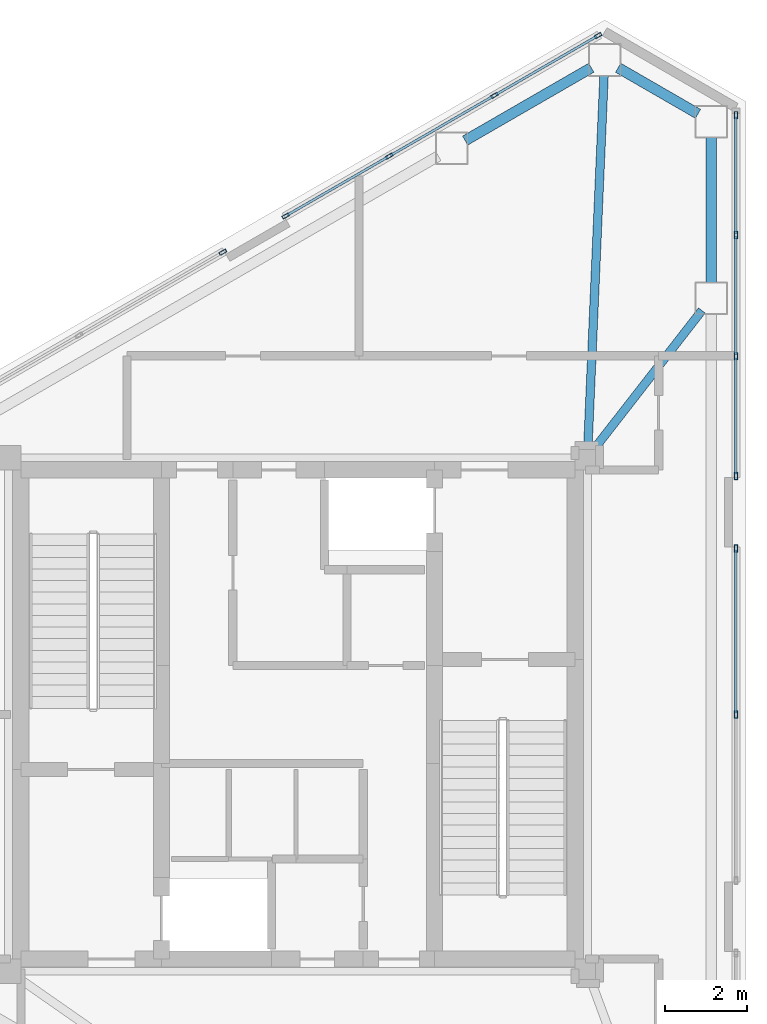
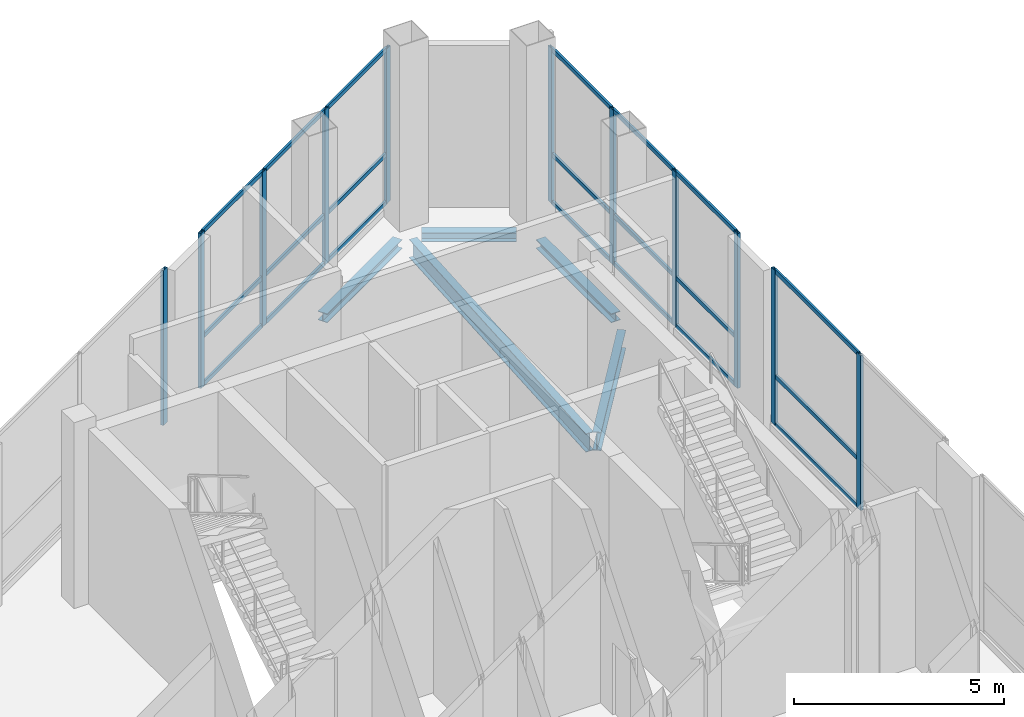
# One storey, part 8 of 13: 32 members, 5 beams, 4 elements without a shape of their own.
"""IFC4 building model written with IfcOpenShell, lengths in metres."""

from ifc_helpers import new_model, si_unit, direction, frame, origin, origin_2d, place, context, subcontext, project, spatial, hollow_rectangle, i_section, extrude, material, layer, layer_set, material_profile, profile_set, type_object, element, aggregate, save


model = new_model("IFC4")

# Units and contexts
model_context = context("Model", 3, precision=1e-05, world=origin(), true_north=direction((0.0, 1.0)))
body_context = subcontext(model_context, "Body", "Model", "MODEL_VIEW")
ifc_project = project(units=[si_unit("LENGTHUNIT", "METRE"), si_unit("AREAUNIT", "SQUARE_METRE"), si_unit("VOLUMEUNIT", "CUBIC_METRE"), si_unit("PLANEANGLEUNIT", "RADIAN"), si_unit("MASSUNIT", "GRAM", prefix="KILO")], contexts=[model_context])

# Site, building, storey
site_placement = place(None, origin())
site = spatial("IfcSite", under=ifc_project, at=site_placement, CompositionType="ELEMENT")
building_placement = place(site_placement, origin())
building = spatial("IfcBuilding", under=site, at=building_placement, Name="Mersakhor Tower and Convention Hall", CompositionType="ELEMENT")
storey_placement = place(building_placement, frame((0.0, 0.0, 258.60009765625)))
storey = spatial("IfcBuildingStorey", under=building, at=storey_placement, Name="L72", CompositionType="ELEMENT", Elevation=258.60009765625)

# Beams
ifc_material_1 = material(Name="Steel S355", Category="steel")
ifc_material_profile_1 = material_profile(ifc_material_1, i_section(OverallWidth=0.2099609375, OverallDepth=0.53662109375, WebThickness=0.0107421875, FlangeThickness=0.017333984375, at=origin_2d()), Name="UB 533x210x101")
ifc_profile_set_1 = profile_set([ifc_material_profile_1], Name="Steel S355")
beam_type_1 = type_object("IfcBeamType", Name="BM-FB-533", PredefinedType="BEAM", material=ifc_profile_set_1)
beam_1_placement = place(storey_placement, frame((36.1123046875, 33.32958984375, -0.58837890625), z_axis=(0.043540774519, 0.999051650794, 0.0), x_axis=(-0.999051650794, 0.043540774519, 0.0)))
element("IfcBeam", 1, at=beam_1_placement, inside=storey, type_object=beam_type_1, Name="L72 Primary Floor Girder FG-2", PredefinedType="BEAM", context=body_context, shape_type="SweptSolid", body=[
    extrude(i_section(OverallWidth=0.2099609375, OverallDepth=0.53662109375, WebThickness=0.0107421875, FlangeThickness=0.017333984375, at=origin_2d()), origin(), (0.0, 0.0, 1.0), 9.10595703125),
])
beam_2_placement = place(storey_placement, frame((36.27197265625, 33.27099609375, -0.58837890625), z_axis=(0.614066533088, 0.789254263809, 0.0), x_axis=(-0.789254263809, 0.614066533088, 0.0)))
element("IfcBeam", 2, at=beam_2_placement, inside=storey, type_object=beam_type_1, Name="L72 Primary Floor Girder FG-3", PredefinedType="BEAM", context=body_context, shape_type="SweptSolid", body=[
    extrude(i_section(OverallWidth=0.2099609375, OverallDepth=0.53662109375, WebThickness=0.0107421875, FlangeThickness=0.017333984375, at=origin_2d()), origin(), (0.0, 0.0, 1.0), 4.295166015625),
])
ifc_material_2 = material(Name="Steel S355", Category="steel")
ifc_material_profile_2 = material_profile(ifc_material_2, i_section(OverallWidth=0.25634765625, OverallDepth=0.26025390625, WebThickness=0.01025390625, FlangeThickness=0.017333984375, at=origin_2d()), Name="UC 254x254x89")
ifc_profile_set_2 = profile_set([ifc_material_profile_2], Name="Steel S355")
beam_type_2 = type_object("IfcBeamType", Name="BM-SPD-UC254", PredefinedType="SPANDREL", material=ifc_profile_set_2)
beam_3_placement = place(storey_placement, frame((33.1005859375, 40.829345703125, -0.4501953125), z_axis=(0.866002454009, 0.500039748071, 0.0), x_axis=(-0.500039748071, 0.866002454009, 0.0)))
element("IfcBeam", 3, at=beam_3_placement, inside=storey, type_object=beam_type_2, Name="L72 Perimeter Spandrel Beam SPB-03", PredefinedType="SPANDREL", context=body_context, shape_type="SweptSolid", body=[
    extrude(i_section(OverallWidth=0.25634765625, OverallDepth=0.26025390625, WebThickness=0.01025390625, FlangeThickness=0.017333984375, at=origin_2d()), origin(), (0.0, 0.0, 1.0), 3.574462890625),
])
beam_4_placement = place(storey_placement, frame((36.854248046875, 42.61669921875, -0.4501953125), z_axis=(0.866016678684, -0.500015112013, 0.0), x_axis=(0.500015112013, 0.866016678684, 0.0)))
element("IfcBeam", 4, at=beam_4_placement, inside=storey, type_object=beam_type_2, Name="L72 Perimeter Spandrel Beam SPB-04", PredefinedType="SPANDREL", context=body_context, shape_type="SweptSolid", body=[
    extrude(i_section(OverallWidth=0.25634765625, OverallDepth=0.26025390625, WebThickness=0.01025390625, FlangeThickness=0.017333984375, at=origin_2d()), origin(), (0.0, 0.0, 1.0), 2.2626953125),
])
beam_5_placement = place(storey_placement, frame((39.142822265625, 40.915283203125, -0.4501953125), z_axis=(0.0, -1.0, 0.0), x_axis=(1.0, 0.0, 0.0)))
element("IfcBeam", 5, at=beam_5_placement, inside=storey, type_object=beam_type_2, Name="L72 Perimeter Spandrel Beam SPB-05", PredefinedType="SPANDREL", context=body_context, shape_type="SweptSolid", body=[
    extrude(i_section(OverallWidth=0.25634765625, OverallDepth=0.26025390625, WebThickness=0.01025390625, FlangeThickness=0.017333984375, at=origin_2d()), origin(), (0.0, 0.0, 1.0), 3.574462890625),
])

# Curtain wall, member
ifc_material_3 = material(Name="Dark solar low-E aluminium curtain wall", Category="aluminium")
ifc_layer = layer(ifc_material_3, 0.2099609375)
ifc_layer_set = layer_set([ifc_layer], Name="Dark solar low-E aluminium curtain wall")
curtain_wall_type = type_object("IfcCurtainWallType", Name="CW-SYS-06", PredefinedType="USERDEFINED", material=ifc_layer_set)
curtain_wall_1_placement = place(storey_placement, origin())
curtain_wall_1 = element("IfcCurtainWall", 6, at=curtain_wall_1_placement, inside=storey, type_object=curtain_wall_type, Name="L72 Dark-Glass Curtain Wall F1-B2", ObjectType="CURTAIN WALL", PredefinedType="USERDEFINED")
ifc_material_4 = material(Name="Anodised aluminium EN AW-6063 T6", Category="aluminium")
ifc_material_profile_3 = material_profile(ifc_material_4, hollow_rectangle(XDim=0.080078125, YDim=0.179931640625, WallThickness=0.008056640625, at=origin_2d()), Name="RHS 180x80x8")
ifc_profile_set_3 = profile_set([ifc_material_profile_3], Name="Anodised aluminium EN AW-6063 T6")
member_type_1 = type_object("IfcMemberType", Name="CWM-180x80", PredefinedType="MULLION", material=ifc_profile_set_3)
member_1_placement = place(storey_placement, frame((27.15673828125, 38.090576171875, 0.199951171875), z_axis=(0.0, 0.0, 1.0), x_axis=(-0.500004411169, 0.86602285698, 0.0)))
member_1 = element("IfcMember", 7, at=member_1_placement, type_object=member_type_1, Name="CW-06 mullion 3", PredefinedType="MULLION", context=body_context, shape_type="SweptSolid", body=[
    extrude(hollow_rectangle(XDim=0.080078125, YDim=0.179931640625, WallThickness=0.008056640625, at=origin_2d()), origin(), (0.0, 0.0, 1.0), 4.5),
])
aggregate(curtain_wall_1, [member_1])

# Curtain wall, members
curtain_wall_2_placement = place(storey_placement, origin())
curtain_wall_2 = element("IfcCurtainWall", 8, at=curtain_wall_2_placement, inside=storey, type_object=curtain_wall_type, Name="L72 Dark-Glass Curtain Wall F1-B3", ObjectType="CURTAIN WALL", PredefinedType="USERDEFINED")
member_2_placement = place(storey_placement, frame((28.6982421875, 38.98046875, 0.199951171875), z_axis=(0.0, 0.0, 1.0), x_axis=(-0.5000000776, 0.866025358982, 0.0)))
member_2 = element("IfcMember", 9, at=member_2_placement, type_object=member_type_1, Name="CW-06 mullion 1", PredefinedType="MULLION", context=body_context, shape_type="SweptSolid", body=[
    extrude(hollow_rectangle(XDim=0.080078125, YDim=0.179931640625, WallThickness=0.008056640625, at=origin_2d()), origin(), (0.0, 0.0, 1.0), 4.5),
])
member_3_placement = place(storey_placement, frame((31.24072265625, 40.448486328125, 0.199951171875), z_axis=(0.0, 0.0, 1.0), x_axis=(-0.5000000776, 0.866025358982, 0.0)))
member_3 = element("IfcMember", 10, at=member_3_placement, type_object=member_type_1, Name="CW-06 mullion 2", PredefinedType="MULLION", context=body_context, shape_type="SweptSolid", body=[
    extrude(hollow_rectangle(XDim=0.080078125, YDim=0.179931640625, WallThickness=0.008056640625, at=origin_2d()), origin(), (0.0, 0.0, 1.0), 4.5),
])
member_4_placement = place(storey_placement, frame((33.818115234375, 41.9365234375, 0.199951171875), z_axis=(0.0, 0.0, 1.0), x_axis=(-0.5000000776, 0.866025358982, 0.0)))
member_4 = element("IfcMember", 11, at=member_4_placement, type_object=member_type_1, Name="CW-06 mullion 3", PredefinedType="MULLION", context=body_context, shape_type="SweptSolid", body=[
    extrude(hollow_rectangle(XDim=0.080078125, YDim=0.179931640625, WallThickness=0.008056640625, at=origin_2d()), origin(), (0.0, 0.0, 1.0), 4.5),
])
member_5_placement = place(storey_placement, frame((36.360595703125, 43.404296875, 0.199951171875), z_axis=(0.0, 0.0, 1.0), x_axis=(-0.5000000776, 0.866025358982, 0.0)))
member_5 = element("IfcMember", 12, at=member_5_placement, type_object=member_type_1, Name="CW-06 mullion 4", PredefinedType="MULLION", context=body_context, shape_type="SweptSolid", body=[
    extrude(hollow_rectangle(XDim=0.080078125, YDim=0.179931640625, WallThickness=0.008056640625, at=origin_2d()), origin(), (0.0, 0.0, 1.0), 4.5),
])

curtain_wall_3_placement = place(storey_placement, origin())
curtain_wall_3 = element("IfcCurtainWall", 13, at=curtain_wall_3_placement, inside=storey, type_object=curtain_wall_type, Name="L72 Dark-Glass Curtain Wall F2-B1", ObjectType="CURTAIN WALL", PredefinedType="USERDEFINED")
member_6_placement = place(storey_placement, frame((39.742919921875, 41.451904296875, 0.199951171875), z_axis=(0.0, 0.0, 1.0), x_axis=(1.0, 0.0, 0.0)))
member_6 = element("IfcMember", 14, at=member_6_placement, type_object=member_type_1, Name="CW-06 mullion 1", PredefinedType="MULLION", context=body_context, shape_type="SweptSolid", body=[
    extrude(hollow_rectangle(XDim=0.080078125, YDim=0.179931640625, WallThickness=0.008056640625, at=origin_2d()), origin(), (0.0, 0.0, 1.0), 4.5),
])
member_7_placement = place(storey_placement, frame((39.742919921875, 38.515869140625, 0.199951171875), z_axis=(0.0, 0.0, 1.0), x_axis=(1.0, 0.0, 0.0)))
member_7 = element("IfcMember", 15, at=member_7_placement, type_object=member_type_1, Name="CW-06 mullion 2", PredefinedType="MULLION", context=body_context, shape_type="SweptSolid", body=[
    extrude(hollow_rectangle(XDim=0.080078125, YDim=0.179931640625, WallThickness=0.008056640625, at=origin_2d()), origin(), (0.0, 0.0, 1.0), 4.5),
])
member_8_placement = place(storey_placement, frame((39.742919921875, 35.539794921875, 0.199951171875), z_axis=(0.0, 0.0, 1.0), x_axis=(1.0, 0.0, 0.0)))
member_8 = element("IfcMember", 16, at=member_8_placement, type_object=member_type_1, Name="CW-06 mullion 3", PredefinedType="MULLION", context=body_context, shape_type="SweptSolid", body=[
    extrude(hollow_rectangle(XDim=0.080078125, YDim=0.179931640625, WallThickness=0.008056640625, at=origin_2d()), origin(), (0.0, 0.0, 1.0), 4.5),
])
member_9_placement = place(storey_placement, frame((39.742919921875, 32.60400390625, 0.199951171875), z_axis=(0.0, 0.0, 1.0), x_axis=(1.0, 0.0, 0.0)))
member_9 = element("IfcMember", 17, at=member_9_placement, type_object=member_type_1, Name="CW-06 mullion 4", PredefinedType="MULLION", context=body_context, shape_type="SweptSolid", body=[
    extrude(hollow_rectangle(XDim=0.080078125, YDim=0.179931640625, WallThickness=0.008056640625, at=origin_2d()), origin(), (0.0, 0.0, 1.0), 4.5),
])

curtain_wall_4_placement = place(storey_placement, origin())
curtain_wall_4 = element("IfcCurtainWall", 18, at=curtain_wall_4_placement, inside=storey, type_object=curtain_wall_type, Name="L72 Dark-Glass Curtain Wall F2-B2", ObjectType="CURTAIN WALL", PredefinedType="USERDEFINED")
member_10_placement = place(storey_placement, frame((39.742919921875, 30.823974609375, 0.199951171875), z_axis=(0.0, 0.0, 1.0), x_axis=(1.0, 0.0, 0.0)))
member_10 = element("IfcMember", 19, at=member_10_placement, type_object=member_type_1, Name="CW-06 mullion 1", PredefinedType="MULLION", context=body_context, shape_type="SweptSolid", body=[
    extrude(hollow_rectangle(XDim=0.080078125, YDim=0.179931640625, WallThickness=0.008056640625, at=origin_2d()), origin(), (0.0, 0.0, 1.0), 4.5),
])
member_11_placement = place(storey_placement, frame((39.742919921875, 26.75, 0.199951171875), z_axis=(0.0, 0.0, 1.0), x_axis=(1.0, 0.0, 0.0)))
member_11 = element("IfcMember", 20, at=member_11_placement, type_object=member_type_1, Name="CW-06 mullion 2", PredefinedType="MULLION", context=body_context, shape_type="SweptSolid", body=[
    extrude(hollow_rectangle(XDim=0.080078125, YDim=0.179931640625, WallThickness=0.008056640625, at=origin_2d()), origin(), (0.0, 0.0, 1.0), 4.5),
])

# Member
ifc_material_5 = material(Name="Anodised aluminium EN AW-6063 T6", Category="aluminium")
ifc_material_profile_4 = material_profile(ifc_material_5, hollow_rectangle(XDim=0.06005859375, YDim=0.1201171875, WallThickness=0.0048828125, at=origin_2d()), Name="RHS 120x60x5")
ifc_profile_set_4 = profile_set([ifc_material_profile_4], Name="Anodised aluminium EN AW-6063 T6")
member_type_2 = type_object("IfcMemberType", Name="CWT-120x60", PredefinedType="USERDEFINED", material=ifc_profile_set_4)
member_12_placement = place(storey_placement, frame((28.73291015625, 39.00048828125, 0.22998046875), z_axis=(0.866030422172, 0.499991307796, 0.0), x_axis=(-0.499991307796, 0.866030422172, 0.0)))
member_12 = element("IfcMember", 21, at=member_12_placement, type_object=member_type_2, Name="CW-06 transom 1.1", ObjectType="TRANSOM", PredefinedType="USERDEFINED", context=body_context, shape_type="SweptSolid", body=[
    extrude(hollow_rectangle(XDim=0.06005859375, YDim=0.1201171875, WallThickness=0.0048828125, at=origin_2d()), origin(), (0.0, 0.0, 1.0), 2.85595703125),
])

member_13_placement = place(storey_placement, frame((28.73291015625, 39.00048828125, 1.619873046875), z_axis=(0.866030422172, 0.499991307796, 0.0), x_axis=(-0.499991307796, 0.866030422172, 0.0)))
member_13 = element("IfcMember", 22, at=member_13_placement, type_object=member_type_2, Name="CW-06 transom 1.2", ObjectType="TRANSOM", PredefinedType="USERDEFINED", context=body_context, shape_type="SweptSolid", body=[
    extrude(hollow_rectangle(XDim=0.06005859375, YDim=0.1201171875, WallThickness=0.0048828125, at=origin_2d()), origin(), (0.0, 0.0, 1.0), 2.85595703125),
])

member_14_placement = place(storey_placement, frame((28.73291015625, 39.00048828125, 4.669921875), z_axis=(0.866030422172, 0.499991307796, 0.0), x_axis=(-0.499991307796, 0.866030422172, 0.0)))
member_14 = element("IfcMember", 23, at=member_14_placement, type_object=member_type_2, Name="CW-06 transom 1.3", ObjectType="TRANSOM", PredefinedType="USERDEFINED", context=body_context, shape_type="SweptSolid", body=[
    extrude(hollow_rectangle(XDim=0.06005859375, YDim=0.1201171875, WallThickness=0.0048828125, at=origin_2d()), origin(), (0.0, 0.0, 1.0), 2.85595703125),
])

member_15_placement = place(storey_placement, frame((31.275390625, 40.468505859375, 0.22998046875), z_axis=(0.866029759197, 0.499992456128, 0.0), x_axis=(-0.499992456128, 0.866029759197, 0.0)))
member_15 = element("IfcMember", 24, at=member_15_placement, type_object=member_type_2, Name="CW-06 transom 2.1", ObjectType="TRANSOM", PredefinedType="USERDEFINED", context=body_context, shape_type="SweptSolid", body=[
    extrude(hollow_rectangle(XDim=0.06005859375, YDim=0.1201171875, WallThickness=0.0048828125, at=origin_2d()), origin(), (0.0, 0.0, 1.0), 2.89599609375),
])

member_16_placement = place(storey_placement, frame((31.275390625, 40.468505859375, 1.619873046875), z_axis=(0.866029759197, 0.499992456128, 0.0), x_axis=(-0.499992456128, 0.866029759197, 0.0)))
member_16 = element("IfcMember", 25, at=member_16_placement, type_object=member_type_2, Name="CW-06 transom 2.2", ObjectType="TRANSOM", PredefinedType="USERDEFINED", context=body_context, shape_type="SweptSolid", body=[
    extrude(hollow_rectangle(XDim=0.06005859375, YDim=0.1201171875, WallThickness=0.0048828125, at=origin_2d()), origin(), (0.0, 0.0, 1.0), 2.89599609375),
])

member_17_placement = place(storey_placement, frame((31.275390625, 40.468505859375, 4.669921875), z_axis=(0.866029759197, 0.499992456128, 0.0), x_axis=(-0.499992456128, 0.866029759197, 0.0)))
member_17 = element("IfcMember", 26, at=member_17_placement, type_object=member_type_2, Name="CW-06 transom 2.3", ObjectType="TRANSOM", PredefinedType="USERDEFINED", context=body_context, shape_type="SweptSolid", body=[
    extrude(hollow_rectangle(XDim=0.06005859375, YDim=0.1201171875, WallThickness=0.0048828125, at=origin_2d()), origin(), (0.0, 0.0, 1.0), 2.89599609375),
])

member_18_placement = place(storey_placement, frame((33.852783203125, 41.95654296875, 0.22998046875), z_axis=(0.866009049739, 0.500028324968, 0.0), x_axis=(-0.500028324968, 0.866009049739, 0.0)))
member_18 = element("IfcMember", 27, at=member_18_placement, type_object=member_type_2, Name="CW-06 transom 3.1", ObjectType="TRANSOM", PredefinedType="USERDEFINED", context=body_context, shape_type="SweptSolid", body=[
    extrude(hollow_rectangle(XDim=0.06005859375, YDim=0.1201171875, WallThickness=0.0048828125, at=origin_2d()), origin(), (0.0, 0.0, 1.0), 2.855712890625),
])

member_19_placement = place(storey_placement, frame((33.852783203125, 41.95654296875, 1.619873046875), z_axis=(0.866009049739, 0.500028324968, 0.0), x_axis=(-0.500028324968, 0.866009049739, 0.0)))
member_19 = element("IfcMember", 28, at=member_19_placement, type_object=member_type_2, Name="CW-06 transom 3.2", ObjectType="TRANSOM", PredefinedType="USERDEFINED", context=body_context, shape_type="SweptSolid", body=[
    extrude(hollow_rectangle(XDim=0.06005859375, YDim=0.1201171875, WallThickness=0.0048828125, at=origin_2d()), origin(), (0.0, 0.0, 1.0), 2.855712890625),
])

member_20_placement = place(storey_placement, frame((33.852783203125, 41.95654296875, 4.669921875), z_axis=(0.866009049739, 0.500028324968, 0.0), x_axis=(-0.500028324968, 0.866009049739, 0.0)))
member_20 = element("IfcMember", 29, at=member_20_placement, type_object=member_type_2, Name="CW-06 transom 3.3", ObjectType="TRANSOM", PredefinedType="USERDEFINED", context=body_context, shape_type="SweptSolid", body=[
    extrude(hollow_rectangle(XDim=0.06005859375, YDim=0.1201171875, WallThickness=0.0048828125, at=origin_2d()), origin(), (0.0, 0.0, 1.0), 2.855712890625),
])

aggregate(curtain_wall_2, [member_2, member_3, member_4, member_5, member_12, member_13, member_14, member_15, member_16, member_17, member_18, member_19, member_20])

member_21_placement = place(storey_placement, frame((39.742919921875, 41.411865234375, 0.22998046875), z_axis=(0.0, -1.0, 0.0), x_axis=(1.0, 0.0, 0.0)))
member_21 = element("IfcMember", 30, at=member_21_placement, type_object=member_type_2, Name="CW-06 transom 1.1", ObjectType="TRANSOM", PredefinedType="USERDEFINED", context=body_context, shape_type="SweptSolid", body=[
    extrude(hollow_rectangle(XDim=0.06005859375, YDim=0.1201171875, WallThickness=0.0048828125, at=origin_2d()), origin(), (0.0, 0.0, 1.0), 2.85595703125),
])

member_22_placement = place(storey_placement, frame((39.742919921875, 41.411865234375, 1.619873046875), z_axis=(0.0, -1.0, 0.0), x_axis=(1.0, 0.0, 0.0)))
member_22 = element("IfcMember", 31, at=member_22_placement, type_object=member_type_2, Name="CW-06 transom 1.2", ObjectType="TRANSOM", PredefinedType="USERDEFINED", context=body_context, shape_type="SweptSolid", body=[
    extrude(hollow_rectangle(XDim=0.06005859375, YDim=0.1201171875, WallThickness=0.0048828125, at=origin_2d()), origin(), (0.0, 0.0, 1.0), 2.85595703125),
])

member_23_placement = place(storey_placement, frame((39.742919921875, 41.411865234375, 4.669921875), z_axis=(0.0, -1.0, 0.0), x_axis=(1.0, 0.0, 0.0)))
member_23 = element("IfcMember", 32, at=member_23_placement, type_object=member_type_2, Name="CW-06 transom 1.3", ObjectType="TRANSOM", PredefinedType="USERDEFINED", context=body_context, shape_type="SweptSolid", body=[
    extrude(hollow_rectangle(XDim=0.06005859375, YDim=0.1201171875, WallThickness=0.0048828125, at=origin_2d()), origin(), (0.0, 0.0, 1.0), 2.85595703125),
])

member_24_placement = place(storey_placement, frame((39.742919921875, 38.475830078125, 0.22998046875), z_axis=(0.0, -1.0, 0.0), x_axis=(1.0, 0.0, 0.0)))
member_24 = element("IfcMember", 33, at=member_24_placement, type_object=member_type_2, Name="CW-06 transom 2.1", ObjectType="TRANSOM", PredefinedType="USERDEFINED", context=body_context, shape_type="SweptSolid", body=[
    extrude(hollow_rectangle(XDim=0.06005859375, YDim=0.1201171875, WallThickness=0.0048828125, at=origin_2d()), origin(), (0.0, 0.0, 1.0), 2.89599609375),
])

member_25_placement = place(storey_placement, frame((39.742919921875, 38.475830078125, 1.619873046875), z_axis=(0.0, -1.0, 0.0), x_axis=(1.0, 0.0, 0.0)))
member_25 = element("IfcMember", 34, at=member_25_placement, type_object=member_type_2, Name="CW-06 transom 2.2", ObjectType="TRANSOM", PredefinedType="USERDEFINED", context=body_context, shape_type="SweptSolid", body=[
    extrude(hollow_rectangle(XDim=0.06005859375, YDim=0.1201171875, WallThickness=0.0048828125, at=origin_2d()), origin(), (0.0, 0.0, 1.0), 2.89599609375),
])

member_26_placement = place(storey_placement, frame((39.742919921875, 38.475830078125, 4.669921875), z_axis=(0.0, -1.0, 0.0), x_axis=(1.0, 0.0, 0.0)))
member_26 = element("IfcMember", 35, at=member_26_placement, type_object=member_type_2, Name="CW-06 transom 2.3", ObjectType="TRANSOM", PredefinedType="USERDEFINED", context=body_context, shape_type="SweptSolid", body=[
    extrude(hollow_rectangle(XDim=0.06005859375, YDim=0.1201171875, WallThickness=0.0048828125, at=origin_2d()), origin(), (0.0, 0.0, 1.0), 2.89599609375),
])

member_27_placement = place(storey_placement, frame((39.742919921875, 35.499755859375, 0.22998046875), z_axis=(0.0, -1.0, 0.0), x_axis=(1.0, 0.0, 0.0)))
member_27 = element("IfcMember", 36, at=member_27_placement, type_object=member_type_2, Name="CW-06 transom 3.1", ObjectType="TRANSOM", PredefinedType="USERDEFINED", context=body_context, shape_type="SweptSolid", body=[
    extrude(hollow_rectangle(XDim=0.06005859375, YDim=0.1201171875, WallThickness=0.0048828125, at=origin_2d()), origin(), (0.0, 0.0, 1.0), 2.85595703125),
])

member_28_placement = place(storey_placement, frame((39.742919921875, 35.499755859375, 1.619873046875), z_axis=(0.0, -1.0, 0.0), x_axis=(1.0, 0.0, 0.0)))
member_28 = element("IfcMember", 37, at=member_28_placement, type_object=member_type_2, Name="CW-06 transom 3.2", ObjectType="TRANSOM", PredefinedType="USERDEFINED", context=body_context, shape_type="SweptSolid", body=[
    extrude(hollow_rectangle(XDim=0.06005859375, YDim=0.1201171875, WallThickness=0.0048828125, at=origin_2d()), origin(), (0.0, 0.0, 1.0), 2.85595703125),
])

member_29_placement = place(storey_placement, frame((39.742919921875, 35.499755859375, 4.669921875), z_axis=(0.0, -1.0, 0.0), x_axis=(1.0, 0.0, 0.0)))
member_29 = element("IfcMember", 38, at=member_29_placement, type_object=member_type_2, Name="CW-06 transom 3.3", ObjectType="TRANSOM", PredefinedType="USERDEFINED", context=body_context, shape_type="SweptSolid", body=[
    extrude(hollow_rectangle(XDim=0.06005859375, YDim=0.1201171875, WallThickness=0.0048828125, at=origin_2d()), origin(), (0.0, 0.0, 1.0), 2.85595703125),
])

aggregate(curtain_wall_3, [member_6, member_7, member_8, member_9, member_21, member_22, member_23, member_24, member_25, member_26, member_27, member_28, member_29])

member_30_placement = place(storey_placement, frame((39.742919921875, 30.783935546875, 0.22998046875), z_axis=(0.0, -1.0, 0.0), x_axis=(1.0, 0.0, 0.0)))
member_30 = element("IfcMember", 39, at=member_30_placement, type_object=member_type_2, Name="CW-06 transom 1.1", ObjectType="TRANSOM", PredefinedType="USERDEFINED", context=body_context, shape_type="SweptSolid", body=[
    extrude(hollow_rectangle(XDim=0.06005859375, YDim=0.1201171875, WallThickness=0.0048828125, at=origin_2d()), origin(), (0.0, 0.0, 1.0), 3.993896484375),
])

member_31_placement = place(storey_placement, frame((39.742919921875, 30.783935546875, 1.619873046875), z_axis=(0.0, -1.0, 0.0), x_axis=(1.0, 0.0, 0.0)))
member_31 = element("IfcMember", 40, at=member_31_placement, type_object=member_type_2, Name="CW-06 transom 1.2", ObjectType="TRANSOM", PredefinedType="USERDEFINED", context=body_context, shape_type="SweptSolid", body=[
    extrude(hollow_rectangle(XDim=0.06005859375, YDim=0.1201171875, WallThickness=0.0048828125, at=origin_2d()), origin(), (0.0, 0.0, 1.0), 3.993896484375),
])

member_32_placement = place(storey_placement, frame((39.742919921875, 30.783935546875, 4.669921875), z_axis=(0.0, -1.0, 0.0), x_axis=(1.0, 0.0, 0.0)))
member_32 = element("IfcMember", 41, at=member_32_placement, type_object=member_type_2, Name="CW-06 transom 1.3", ObjectType="TRANSOM", PredefinedType="USERDEFINED", context=body_context, shape_type="SweptSolid", body=[
    extrude(hollow_rectangle(XDim=0.06005859375, YDim=0.1201171875, WallThickness=0.0048828125, at=origin_2d()), origin(), (0.0, 0.0, 1.0), 3.993896484375),
])

aggregate(curtain_wall_4, [member_10, member_11, member_30, member_31, member_32])

save(model, "model.ifc")
